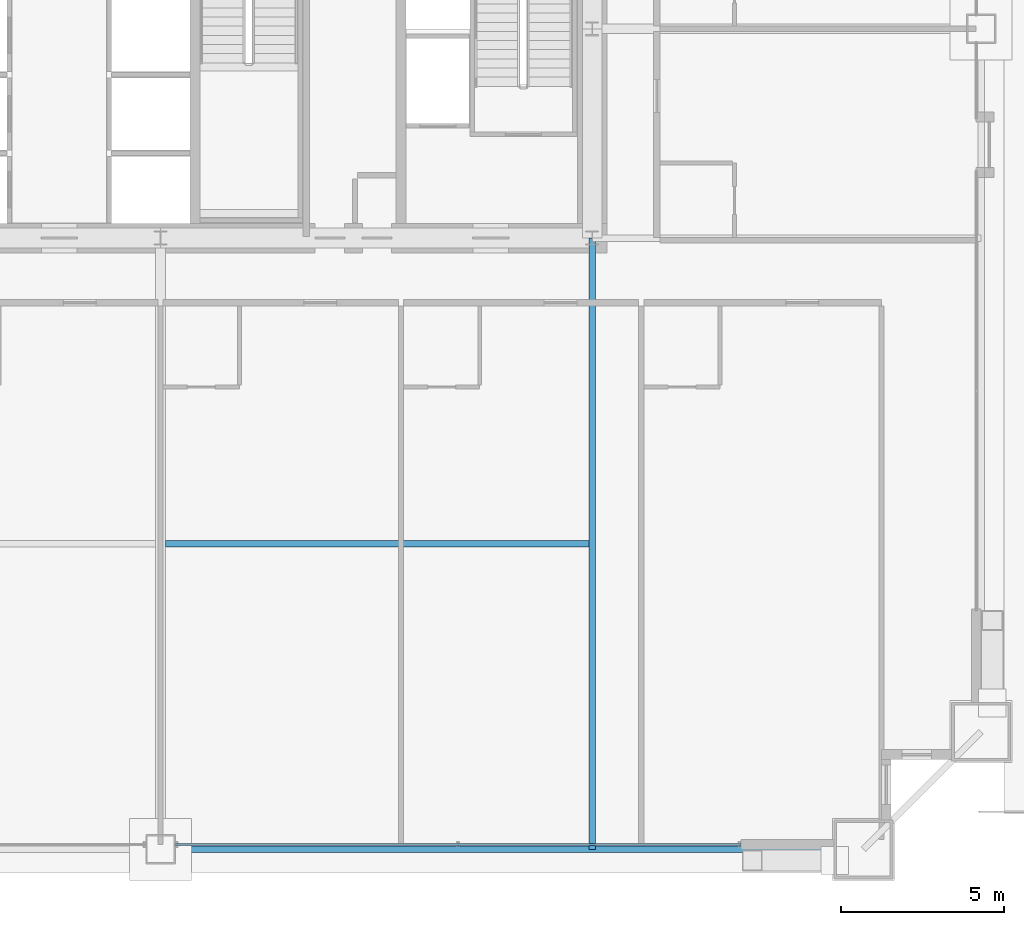
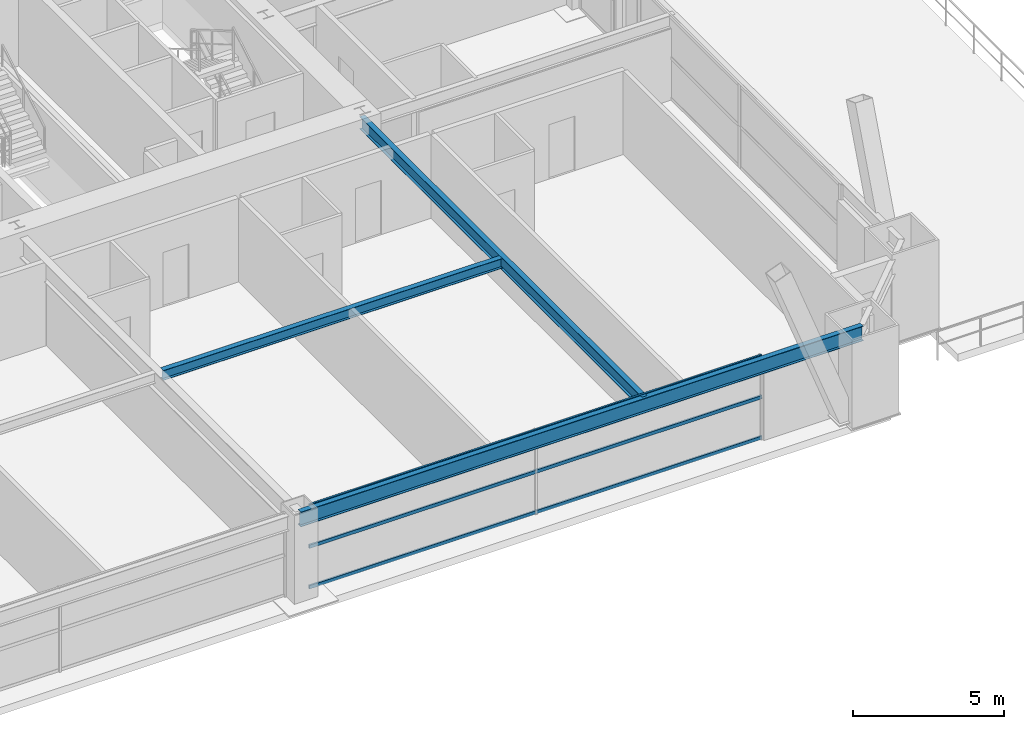
# One storey, part 14 of 45: 3 beams, 3 members, 1 element without a shape of its own.
"""IFC4 building model written with IfcOpenShell, lengths in metres."""

from ifc_helpers import new_model, si_unit, direction, frame, origin, origin_2d, place, context, subcontext, project, spatial, hollow_rectangle, i_section, extrude, source, transform, mapped, material, layer, layer_set, material_profile, profile_set, type_object, element, aggregate, save


model = new_model("IFC4")

# Units and contexts
model_context = context("Model", 3, precision=1e-05, world=origin(), true_north=direction((0.0, 1.0)))
body_context = subcontext(model_context, "Body", "Model", "MODEL_VIEW")
ifc_project = project(units=[si_unit("LENGTHUNIT", "METRE"), si_unit("AREAUNIT", "SQUARE_METRE"), si_unit("VOLUMEUNIT", "CUBIC_METRE"), si_unit("PLANEANGLEUNIT", "RADIAN"), si_unit("MASSUNIT", "GRAM", prefix="KILO"), si_unit("THERMODYNAMICTEMPERATUREUNIT", "KELVIN"), si_unit("POWERUNIT", "WATT")], contexts=[model_context])

# Site, building, storey
site_placement = place(None, origin())
site = spatial("IfcSite", under=ifc_project, at=site_placement, CompositionType="ELEMENT")
building_placement = place(site_placement, origin())
building = spatial("IfcBuilding", under=site, at=building_placement, Name="Yuzanri Waterfront Tower", CompositionType="ELEMENT")
storey_placement = place(building_placement, frame((0.0, 0.0, 30.60009765625)))
storey = spatial("IfcBuildingStorey", under=building, at=storey_placement, Name="L07", CompositionType="ELEMENT", Elevation=30.60009765625)

# Beams
ifc_material_1 = material(Name="Steel Q355B", Category="steel")
ifc_material_profile_1 = material_profile(ifc_material_1, i_section(OverallWidth=0.199951171875, OverallDepth=0.60009765625, WebThickness=0.010986328125, FlangeThickness=0.01708984375, at=origin_2d()), Name="HN 600x200x11x17")
ifc_profile_set_1 = profile_set([ifc_material_profile_1], Name="Steel Q355B")
beam_type_1 = type_object("IfcBeamType", Name="Perimeter Spandrel Q355B HN 600x200", PredefinedType="SPANDREL", material=ifc_profile_set_1)
shared_shape_1 = source(origin(), body_context, "Body", "SweptSolid", [
    extrude(i_section(OverallWidth=0.199951171875, OverallDepth=0.60009765625, WebThickness=0.010986328125, FlangeThickness=0.01708984375, at=origin_2d()), origin(), (0.0, 0.0, 1.0), 21.5),
])
beam_1_placement = place(storey_placement, frame((37.0, 0.699951171875, 3.079833984375), z_axis=(1.0, 0.0, 0.0), x_axis=(0.0, 1.0, 0.0)))
element("IfcBeam", 1, at=beam_1_placement, inside=storey, type_object=beam_type_1, Name="L07 Perimeter Spandrel S2-S3", PredefinedType="SPANDREL", context=body_context, shape_type="MappedRepresentation", body=[
    mapped(shared_shape_1, transform((0.0, 0.0, 0.0), scale=1.0)),
])
ifc_material_2 = material(Name="Steel Q355B", Category="steel")
ifc_material_profile_2 = material_profile(ifc_material_2, i_section(OverallWidth=0.199951171875, OverallDepth=0.5, WebThickness=0.010009765625, FlangeThickness=0.01611328125, at=origin_2d()), Name="HN 500x200x10x16")
ifc_profile_set_2 = profile_set([ifc_material_profile_2], Name="Steel Q355B")
beam_type_2 = type_object("IfcBeamType", Name="Secondary Floor Beam Q355B HN 500x200", PredefinedType="BEAM", material=ifc_profile_set_2)
shared_shape_2 = source(origin(), body_context, "Body", "SweptSolid", [
    extrude(i_section(OverallWidth=0.199951171875, OverallDepth=0.5, WebThickness=0.010009765625, FlangeThickness=0.01611328125, at=origin_2d()), origin(), (0.0, 0.0, 1.0), 18.699951171875),
])
beam_2_placement = place(storey_placement, frame((50.199951171875, 19.39990234375, 3.1298828125), z_axis=(0.0, -1.0, 0.0), x_axis=(1.0, 0.0, 0.0)))
element("IfcBeam", 2, at=beam_2_placement, inside=storey, type_object=beam_type_2, Name="L07 South-East Core Line Beam", PredefinedType="BEAM", context=body_context, shape_type="MappedRepresentation", body=[
    mapped(shared_shape_2, transform((0.0, 0.0, 0.0), scale=1.0)),
])
ifc_material_3 = material(Name="Steel Q355B", Category="steel")
ifc_material_profile_3 = material_profile(ifc_material_3, i_section(OverallWidth=0.199951171875, OverallDepth=0.39990234375, WebThickness=0.008056640625, FlangeThickness=0.012939453125, at=origin_2d()), Name="HN 400x200x8x13")
ifc_profile_set_3 = profile_set([ifc_material_profile_3], Name="Steel Q355B")
beam_type_3 = type_object("IfcBeamType", Name="Floor Joist Q355B HN 400x200", PredefinedType="JOIST", material=ifc_profile_set_3)
shared_shape_3 = source(origin(), body_context, "Body", "SweptSolid", [
    extrude(i_section(OverallWidth=0.199951171875, OverallDepth=0.39990234375, WebThickness=0.008056640625, FlangeThickness=0.012939453125, at=origin_2d()), origin(), (0.0, 0.0, 1.0), 12.9501953125),
])
beam_3_placement = place(storey_placement, frame((37.14990234375, 10.050048828125, 3.179931640625), z_axis=(1.0, 0.0, 0.0), x_axis=(0.0, 1.0, 0.0)))
element("IfcBeam", 3, at=beam_3_placement, inside=storey, type_object=beam_type_3, Name="L07 South Bay Joist E", PredefinedType="JOIST", context=body_context, shape_type="MappedRepresentation", body=[
    mapped(shared_shape_3, transform((0.0, 0.0, 0.0), scale=1.0)),
])

# Curtain wall, members
ifc_material_4 = material(Name="Anodized Architectural Bronze", Category="metal")
ifc_layer = layer(ifc_material_4, 0.159912109375)
ifc_layer_set = layer_set([ifc_layer], Name="Anodized Architectural Bronze")
curtain_wall_type = type_object("IfcCurtainWallType", Name="Anodized Bronze Hotel Lower-Tier Recessed Unitized Curtain Wall 8100", PredefinedType="NOTDEFINED", material=ifc_layer_set)
curtain_wall_placement = place(storey_placement, origin())
curtain_wall = element("IfcCurtainWall", 4, at=curtain_wall_placement, inside=storey, type_object=curtain_wall_type, Name="L07 Curtain Wall CW-L07-SR", PredefinedType="NOTDEFINED")
ifc_material_5 = material(Name="Anodized Architectural Bronze", Category="metal")
ifc_material_profile_4 = material_profile(ifc_material_5, hollow_rectangle(XDim=0.070068359375, YDim=0.135009765625, WallThickness=0.00341796875, at=origin_2d()), Name="CWT 70x135")
ifc_profile_set_4 = profile_set([ifc_material_profile_4], Name="Anodized Architectural Bronze")
member_type = type_object("IfcMemberType", Name="Anodized Bronze Standard Curtain-Wall Transom 70x135", PredefinedType="USERDEFINED", material=ifc_profile_set_4)
shared_shape_4 = source(origin(), body_context, "Body", "SweptSolid", [
    extrude(hollow_rectangle(XDim=0.070068359375, YDim=0.135009765625, WallThickness=0.00341796875, at=origin_2d()), origin(), (0.0, 0.0, 1.0), 17.300048828125),
])
member_1_placement = place(storey_placement, frame((37.449951171875, 0.85009765625, 0.0498046875), z_axis=(1.0, 0.0, 0.0), x_axis=(0.0, 1.0, 0.0)))
member_1 = element("IfcMember", 5, at=member_1_placement, type_object=member_type, Name="CW-L07-SR Transom 1", ObjectType="TRANSOM", PredefinedType="USERDEFINED", context=body_context, shape_type="MappedRepresentation", body=[
    mapped(shared_shape_4, transform((0.0, 0.0, 0.0), scale=1.0)),
])
member_2_placement = place(storey_placement, frame((37.449951171875, 0.85009765625, 1.68994140625), z_axis=(1.0, 0.0, 0.0), x_axis=(0.0, 1.0, 0.0)))
member_2 = element("IfcMember", 6, at=member_2_placement, type_object=member_type, Name="CW-L07-SR Transom 2", ObjectType="TRANSOM", PredefinedType="USERDEFINED", context=body_context, shape_type="MappedRepresentation", body=[
    mapped(shared_shape_4, transform((0.0, 0.0, 0.0), scale=1.0)),
])
member_3_placement = place(storey_placement, frame((37.449951171875, 0.85009765625, 3.329833984375), z_axis=(1.0, 0.0, 0.0), x_axis=(0.0, 1.0, 0.0)))
member_3 = element("IfcMember", 7, at=member_3_placement, type_object=member_type, Name="CW-L07-SR Transom 3", ObjectType="TRANSOM", PredefinedType="USERDEFINED", context=body_context, shape_type="MappedRepresentation", body=[
    mapped(shared_shape_4, transform((0.0, 0.0, 0.0), scale=1.0)),
])
aggregate(curtain_wall, [member_1, member_2, member_3])

save(model, "model.ifc")
